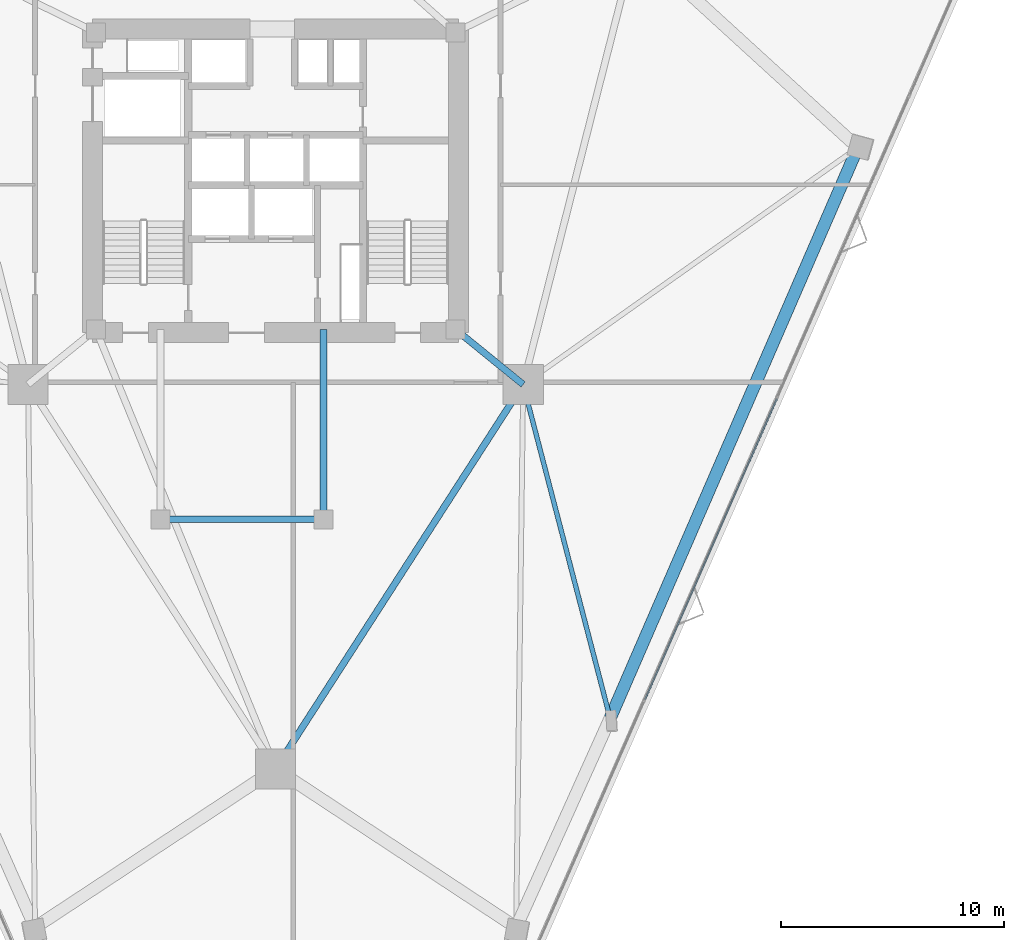
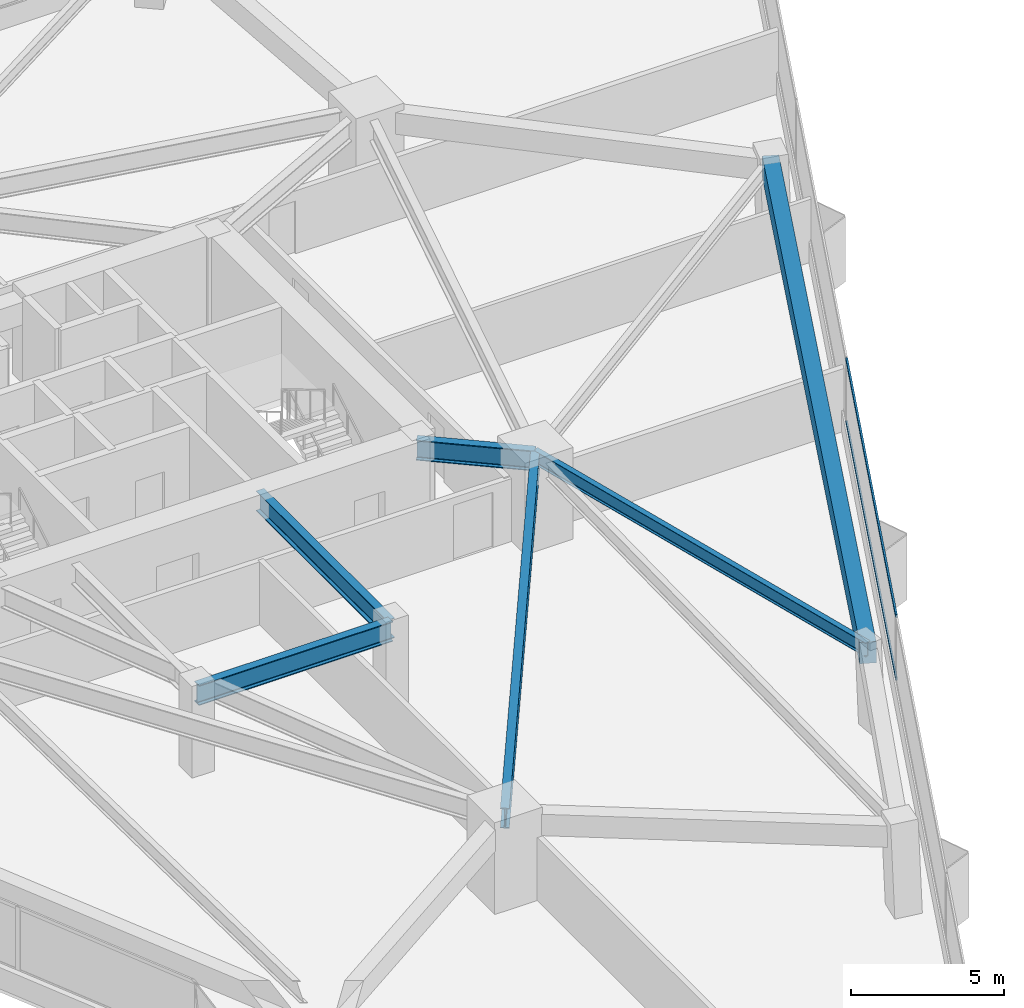
# One storey, part 8 of 20: 6 beams, 2 members, 1 element without a shape of its own.
"""IFC4 building model written with IfcOpenShell, lengths in metres."""

import ifcopenshell
import ifcopenshell.guid

model = None  # the IFC model being written
_history = None  # IfcOwnerHistory: only IFC2X3 demands one
_inside = {}  # id of a spatial element -> (the spatial element, [elements in it])
_under = {}  # id of a project, library or spatial element -> (it, [spatial elements below it])
_declared = {}  # id of a project -> (the project, [libraries it declares])
_typed = {}  # id of a type object -> (the type object, [elements of that type])
_made_of = {}  # id of a material, layer set ... -> (it, [elements and type objects made of it])


def new_model(schema):
    """Start an empty IFC model of exactly this schema.

    Asked for "IFC4X3", IfcOpenShell would pick the latest addendum, in which some entities
    have other attributes; the version numbers below select the first issue.
    IFC2X3 requires an IfcOwnerHistory on every rooted entity: one is made here for all.
    """
    global model, _history
    if schema == "IFC4X3":
        model = ifcopenshell.file(schema_version=(4, 3, 0, 0))
    else:
        model = ifcopenshell.file(schema=schema)
    _inside.clear()
    _under.clear()
    _declared.clear()
    _typed.clear()
    _made_of.clear()
    _history = None
    if model.schema == "IFC2X3":
        org = make("IfcOrganization", Name="unknown")
        user = make(
            "IfcPersonAndOrganization",
            ThePerson=make("IfcPerson", FamilyName="unknown"),
            TheOrganization=org,
        )
        app = make(
            "IfcApplication",
            ApplicationDeveloper=org,
            Version="unknown",
            ApplicationFullName="unknown",
            ApplicationIdentifier="unknown",
        )
        _history = make(
            "IfcOwnerHistory",
            OwningUser=user,
            OwningApplication=app,
            ChangeAction="ADDED",
            CreationDate=0,
        )
    return model


def make(cls, **values):
    """One entity of the class cls with the attributes given. An attribute that is None is left unset."""
    return model.create_entity(
        cls, **{name: value for name, value in values.items() if value is not None}
    )


def rooted(cls, **values):
    """An entity with a GlobalId (a new one), such as an element, a storey or a relation."""
    return make(cls, GlobalId=ifcopenshell.guid.new(), OwnerHistory=_history, **values)


def si_unit(unit_type, name, prefix=None):
    """IfcSIUnit, for example si_unit("LENGTHUNIT", "METRE", prefix="MILLI")."""
    return make("IfcSIUnit", UnitType=unit_type, Prefix=prefix, Name=name)


def assignment(units):
    """IfcUnitAssignment: the units of a project."""
    return None if units is None else make("IfcUnitAssignment", Units=units)


def point(xyz):
    """IfcCartesianPoint."""
    return None if xyz is None else make("IfcCartesianPoint", Coordinates=xyz)


def direction(xyz):
    """IfcDirection."""
    return None if xyz is None else make("IfcDirection", DirectionRatios=xyz)


def frame(location, z_axis=None, x_axis=None):
    """IfcAxis2Placement3D, a coordinate frame: its origin and axes. An axis left out is left unset."""
    return make(
        "IfcAxis2Placement3D",
        Location=point(location),
        Axis=direction(z_axis),
        RefDirection=direction(x_axis),
    )


def frame_2d(location, x_axis=None):
    """IfcAxis2Placement2D, a coordinate frame in the plane: its origin and x axis."""
    return make(
        "IfcAxis2Placement2D", Location=point(location), RefDirection=direction(x_axis)
    )


def origin():
    """The frame at (0, 0, 0) with its axes left unset."""
    return frame((0.0, 0.0, 0.0))


def origin_2d():
    """The frame at (0, 0) in the plane with its x axis left unset."""
    return frame_2d((0.0, 0.0))


def place(relative_to, where):
    """IfcLocalPlacement: puts the frame where relative to a parent placement (None: the world)."""
    return make(
        "IfcLocalPlacement", PlacementRelTo=relative_to, RelativePlacement=where
    )


def context(
    kind, dimensions, precision=None, world=None, true_north=None, identifier=None
):
    """IfcGeometricRepresentationContext, for example the 3D "Model" context."""
    return make(
        "IfcGeometricRepresentationContext",
        ContextIdentifier=identifier,
        ContextType=kind,
        CoordinateSpaceDimension=dimensions,
        Precision=precision,
        WorldCoordinateSystem=world,
        TrueNorth=true_north,
    )


def subcontext(parent, identifier, kind, view, scale=None):
    """IfcGeometricRepresentationSubContext, for example "Body" below "Model"."""
    return make(
        "IfcGeometricRepresentationSubContext",
        ContextIdentifier=identifier,
        ContextType=kind,
        ParentContext=parent,
        TargetScale=scale,
        TargetView=view,
    )


def project(units=None, contexts=None):
    """IfcProject with its units and contexts."""
    return rooted(
        "IfcProject",
        Name="project",
        RepresentationContexts=contexts,
        UnitsInContext=assignment(units),
    )


def spatial(cls, under=None, at=None, **own):
    """A site, building, storey or space (cls), placed at a placement, below another one or the project."""
    s = rooted(cls, ObjectPlacement=at, **own)
    if under is not None:
        _under.setdefault(under.id(), (under, []))[1].append(s)
    return s


def profile(cls, at=None, kind="AREA", **sizes):
    """A parametric profile (cls). Its sizes go by their IFC names, for example OverallWidth=200.0."""
    return make(cls, ProfileType=kind, Position=at, **sizes)


def rectangle(**sizes):
    """IfcRectangleProfileDef."""
    return profile("IfcRectangleProfileDef", **sizes)


def i_section(**sizes):
    """IfcIShapeProfileDef."""
    return profile("IfcIShapeProfileDef", **sizes)


def extrude(swept, where, along, depth):
    """IfcExtrudedAreaSolid: the profile swept, set in the frame where, extruded along a direction by depth."""
    return make(
        "IfcExtrudedAreaSolid",
        SweptArea=swept,
        Position=where,
        ExtrudedDirection=direction(along),
        Depth=depth,
    )


def shape(context_of_items, identifier, shape_type, items):
    """IfcShapeRepresentation: the items that make up one representation, for example the "Body"."""
    return make(
        "IfcShapeRepresentation",
        ContextOfItems=context_of_items,
        RepresentationIdentifier=identifier,
        RepresentationType=shape_type,
        Items=items,
    )


def material(Name=None, Category=None):
    """IfcMaterial."""
    return make("IfcMaterial", Name=Name, Category=Category)


def layer(
    of_material, thickness, ventilated=None, Name=None, Category=None, Priority=None
):
    """IfcMaterialLayer: one layer of a wall or slab, of a material (None: an air gap)."""
    return make(
        "IfcMaterialLayer",
        Material=of_material,
        LayerThickness=thickness,
        IsVentilated=ventilated,
        Name=Name,
        Category=Category,
        Priority=Priority,
    )


def layer_set(layers, Name=None):
    """IfcMaterialLayerSet."""
    return make("IfcMaterialLayerSet", MaterialLayers=layers, LayerSetName=Name)


def material_profile(
    of_material, cross_section, Name=None, Category=None, Priority=None
):
    """IfcMaterialProfile: a cross section and its material."""
    return make(
        "IfcMaterialProfile",
        Name=Name,
        Material=of_material,
        Profile=cross_section,
        Priority=Priority,
        Category=Category,
    )


def profile_set(profiles, Name=None, composite=None):
    """IfcMaterialProfileSet."""
    return make(
        "IfcMaterialProfileSet",
        Name=Name,
        MaterialProfiles=profiles,
        CompositeProfile=composite,
    )


def made_of(thing, what):
    """Note that an element or type object is made of a material, layer set ...; save() writes the relation."""
    if what is not None:
        _made_of.setdefault(what.id(), (what, []))[1].append(thing)
    return thing


def type_object(cls, material=None, **own):
    """A type object (cls), such as IfcWallType, which elements share."""
    return made_of(rooted(cls, **own), material)


def element(
    cls,
    number,
    at=None,
    inside=None,
    cuts=None,
    type_object=None,
    material=None,
    context=None,
    identifier="Body",
    shape_type=None,
    held_by="IfcProductDefinitionShape",
    body=None,
    shapes=None,
    **own,
):
    """One element of the class cls, such as IfcWall. Its Tag is "e" and its number.

    at: its placement. inside: the storey or other place that contains it. cuts: it is an
    opening in that element (IfcRelVoidsElement). A single representation is given by context,
    identifier, shape_type and body (its items); several are given by shapes. held_by: the class
    of the entity that holds the representations. save() writes the other relations.
    """
    e = rooted(cls, Tag="e%d" % number, ObjectPlacement=at, **own)
    if body is not None:
        shapes = [shape(context, identifier, shape_type, body)]
    if shapes is not None:
        e.Representation = make(held_by, Representations=shapes)
    if inside is not None:
        _inside.setdefault(inside.id(), (inside, []))[1].append(e)
    if cuts is not None:
        rooted(
            "IfcRelVoidsElement", RelatingBuildingElement=cuts, RelatedOpeningElement=e
        )
    if type_object is not None:
        _typed.setdefault(type_object.id(), (type_object, []))[1].append(e)
    return made_of(e, material)


def aggregate(whole, parts):
    """IfcRelAggregates: a whole, such as a stair, and the parts it consists of."""
    return rooted("IfcRelAggregates", RelatingObject=whole, RelatedObjects=parts)


def save(model, path):
    """Write the relations noted so far, then the file.

    IfcRelAggregates (storeys below a building ...), IfcRelContainedInSpatialStructure (elements
    in a storey), IfcRelDefinesByType, IfcRelAssociatesMaterial and IfcRelDeclares: one each for
    every whole, place, type object, material and project.
    """
    for whole, parts in _under.values():
        aggregate(whole, parts)
    for where, things in _inside.values():
        rooted(
            "IfcRelContainedInSpatialStructure",
            RelatedElements=things,
            RelatingStructure=where,
        )
    for kind, things in _typed.values():
        rooted("IfcRelDefinesByType", RelatedObjects=things, RelatingType=kind)
    for what, things in _made_of.values():
        rooted("IfcRelAssociatesMaterial", RelatedObjects=things, RelatingMaterial=what)
    for by, libraries in _declared.values():
        rooted("IfcRelDeclares", RelatingContext=by, RelatedDefinitions=libraries)
    model.write(path)


model = new_model("IFC4")

# Units and contexts
model_context = context("Model", 3, precision=1e-05, world=origin(), true_north=direction((0.0, 1.0)))
body_context = subcontext(model_context, "Body", "Model", "MODEL_VIEW")
ifc_project = project(units=[si_unit("LENGTHUNIT", "METRE"), si_unit("AREAUNIT", "SQUARE_METRE"), si_unit("VOLUMEUNIT", "CUBIC_METRE"), si_unit("PLANEANGLEUNIT", "RADIAN"), si_unit("MASSUNIT", "GRAM", prefix="KILO")], contexts=[model_context])

# Site, building, storey
site_placement = place(None, origin())
site = spatial("IfcSite", under=ifc_project, at=site_placement, CompositionType="ELEMENT")
building_placement = place(site_placement, origin())
building = spatial("IfcBuilding", under=site, at=building_placement, Name="Talyreon Biosciences Tower", CompositionType="ELEMENT")
storey_placement = place(building_placement, frame((0.0, 0.0, 26.449951171875)))
storey = spatial("IfcBuildingStorey", under=building, at=storey_placement, Name="L06", CompositionType="ELEMENT", Elevation=26.449951171875)

# Curtain wall, members
ifc_material_1 = material(Name="Thermally broken aluminium and low-E glazing", Category="aluminium")
ifc_layer = layer(ifc_material_1, 0.195068359375)
ifc_layer_set = layer_set([ifc_layer], Name="Thermally broken aluminium and low-E glazing")
curtain_wall_type = type_object("IfcCurtainWallType", Name="CurtainWall_Zone1WetLab", PredefinedType="NOTDEFINED", material=ifc_layer_set)
curtain_wall_placement = place(storey_placement, origin())
curtain_wall = element("IfcCurtainWall", 1, at=curtain_wall_placement, inside=storey, type_object=curtain_wall_type, Name="L06 Unitised Curtain Wall FCW-L06-08", PredefinedType="NOTDEFINED")
ifc_material_2 = material(Name="Anodised thermally broken aluminium", Category="aluminium")
ifc_material_profile_1 = material_profile(ifc_material_2, rectangle(XDim=0.06494140625, YDim=0.139892578125, at=origin_2d()), Name="ALUM TRANSOM 65x140")
ifc_profile_set_1 = profile_set([ifc_material_profile_1], Name="Anodised thermally broken aluminium")
member_type = type_object("IfcMemberType", Name="CWTransom_65x140", PredefinedType="USERDEFINED", material=ifc_profile_set_1)
member_1_placement = place(storey_placement, frame((88.443359375, 58.238525390625, 0.842529296875), z_axis=(-0.401345318485, -0.915926817672, 0.0), x_axis=(0.915926817672, -0.401345318485, 0.0)))
member_1 = element("IfcMember", 2, at=member_1_placement, type_object=member_type, Name="CW2 transom 3.1", ObjectType="TRANSOM", PredefinedType="USERDEFINED", context=body_context, shape_type="SweptSolid", body=[
    extrude(rectangle(XDim=0.06494140625, YDim=0.139892578125, at=origin_2d()), origin(), (0.0, 0.0, 1.0), 14.691162109375),
])
member_2_placement = place(storey_placement, frame((88.443359375, 58.238525390625, 3.342529296875), z_axis=(-0.401345318485, -0.915926817672, 0.0), x_axis=(0.915926817672, -0.401345318485, 0.0)))
member_2 = element("IfcMember", 3, at=member_2_placement, type_object=member_type, Name="CW2 transom 3.2", ObjectType="TRANSOM", PredefinedType="USERDEFINED", context=body_context, shape_type="SweptSolid", body=[
    extrude(rectangle(XDim=0.06494140625, YDim=0.139892578125, at=origin_2d()), origin(), (0.0, 0.0, 1.0), 14.691162109375),
])
aggregate(curtain_wall, [member_1, member_2])

# Beams
ifc_material_3 = material(Name="Precast concrete C45/55", Category="concrete")
ifc_material_profile_2 = material_profile(ifc_material_3, rectangle(XDim=0.550048828125, YDim=0.85009765625, at=origin_2d()), Name="RCB 550x850")
ifc_profile_set_2 = profile_set([ifc_material_profile_2], Name="Precast concrete C45/55")
beam_type_1 = type_object("IfcBeamType", Name="ExpressedSpandrel_550x850", PredefinedType="SPANDREL", material=ifc_profile_set_2)
beam_1_placement = place(storey_placement, frame((80.98193359375, 43.929931640625, 2.949951171875), z_axis=(0.398012419469, 0.917380027005, 0.0), x_axis=(-0.917380027005, 0.398012419469, 0.0)))
element("IfcBeam", 4, at=beam_1_placement, inside=storey, type_object=beam_type_1, Name="L06 Expressed Horizontal Concrete Spandrel 03", PredefinedType="SPANDREL", context=body_context, shape_type="SweptSolid", body=[
    extrude(rectangle(XDim=0.550048828125, YDim=0.85009765625, at=origin_2d()), origin(), (0.0, 0.0, 1.0), 27.861328125),
])
ifc_material_4 = material(Name="Steel SM355", Category="steel")
ifc_material_profile_3 = material_profile(ifc_material_4, i_section(OverallWidth=0.300048828125, OverallDepth=0.800048828125, WebThickness=0.017578125, FlangeThickness=0.032958984375, FilletRadius=0.030029296875, at=origin_2d()), Name="HE800B")
ifc_profile_set_3 = profile_set([ifc_material_profile_3], Name="Steel SM355")
beam_type_2 = type_object("IfcBeamType", Name="SteelGirder_HE800B", PredefinedType="BEAM", material=ifc_profile_set_3)
beam_2_placement = place(storey_placement, frame((66.0, 41.6669921875, 2.97509765625), z_axis=(0.541463723609, 0.840724114092, 0.0), x_axis=(-0.840724114092, 0.541463723609, 0.0)))
element("IfcBeam", 5, at=beam_2_placement, inside=storey, type_object=beam_type_2, Name="L06 Mega-Ring Girder 1", PredefinedType="BEAM", context=body_context, shape_type="SweptSolid", body=[
    extrude(i_section(OverallWidth=0.300048828125, OverallDepth=0.800048828125, WebThickness=0.017578125, FlangeThickness=0.032958984375, FilletRadius=0.030029296875, at=origin_2d()), origin(), (0.0, 0.0, 1.0), 20.474365234375),
])
beam_3_placement = place(storey_placement, frame((74.050048828125, 61.35009765625, 2.97509765625), z_axis=(0.775755154013, -0.631034025249, 0.0), x_axis=(0.631034025249, 0.775755154013, 0.0)))
element("IfcBeam", 6, at=beam_3_placement, inside=storey, type_object=beam_type_2, Name="L06 Radial Primary Girder 2", PredefinedType="BEAM", context=body_context, shape_type="SweptSolid", body=[
    extrude(i_section(OverallWidth=0.300048828125, OverallDepth=0.800048828125, WebThickness=0.017578125, FlangeThickness=0.032958984375, FilletRadius=0.030029296875, at=origin_2d()), origin(), (0.0, 0.0, 1.0), 3.913818359375),
])
beam_4_placement = place(storey_placement, frame((60.85009765625, 52.840087890625, 2.97509765625), z_axis=(1.0, 0.0, 0.0), x_axis=(0.0, 1.0, 0.0)))
element("IfcBeam", 7, at=beam_4_placement, inside=storey, type_object=beam_type_2, Name="L06 Crown Shaft Spine Girder S", PredefinedType="BEAM", context=body_context, shape_type="SweptSolid", body=[
    extrude(i_section(OverallWidth=0.300048828125, OverallDepth=0.800048828125, WebThickness=0.017578125, FlangeThickness=0.032958984375, FilletRadius=0.030029296875, at=origin_2d()), origin(), (0.0, 0.0, 1.0), 7.2998046875),
])
beam_5_placement = place(storey_placement, frame((68.14990234375, 52.840087890625, 2.97509765625), z_axis=(0.0, 1.0, 0.0), x_axis=(-1.0, 0.0, 0.0)))
element("IfcBeam", 8, at=beam_5_placement, inside=storey, type_object=beam_type_2, Name="L06 Crown Shaft Tie Girder E", PredefinedType="BEAM", context=body_context, shape_type="SweptSolid", body=[
    extrude(i_section(OverallWidth=0.300048828125, OverallDepth=0.800048828125, WebThickness=0.017578125, FlangeThickness=0.032958984375, FilletRadius=0.030029296875, at=origin_2d()), origin(), (0.0, 0.0, 1.0), 8.510009765625),
])
ifc_material_profile_4 = material_profile(ifc_material_4, i_section(OverallWidth=0.2099609375, OverallDepth=0.550048828125, WebThickness=0.010986328125, FlangeThickness=0.01708984375, FilletRadius=0.02392578125, at=origin_2d()), Name="IPE550")
ifc_profile_set_4 = profile_set([ifc_material_profile_4], Name="Steel SM355")
beam_type_3 = type_object("IfcBeamType", Name="SteelJoist_IPE550", PredefinedType="JOIST", material=ifc_profile_set_4)
beam_6_placement = place(storey_placement, frame((77.086181640625, 58.88037109375, 3.10009765625), z_axis=(0.252157499654, -0.967686207078, 0.0), x_axis=(0.967686207078, 0.252157499654, 0.0)))
element("IfcBeam", 9, at=beam_6_placement, inside=storey, type_object=beam_type_3, Name="L06 Radial Composite Floor Joist PL-SE", PredefinedType="JOIST", context=body_context, shape_type="SweptSolid", body=[
    extrude(i_section(OverallWidth=0.2099609375, OverallDepth=0.550048828125, WebThickness=0.010986328125, FlangeThickness=0.01708984375, FilletRadius=0.02392578125, at=origin_2d()), origin(), (0.0, 0.0, 1.0), 15.44970703125),
])

save(model, "model.ifc")
